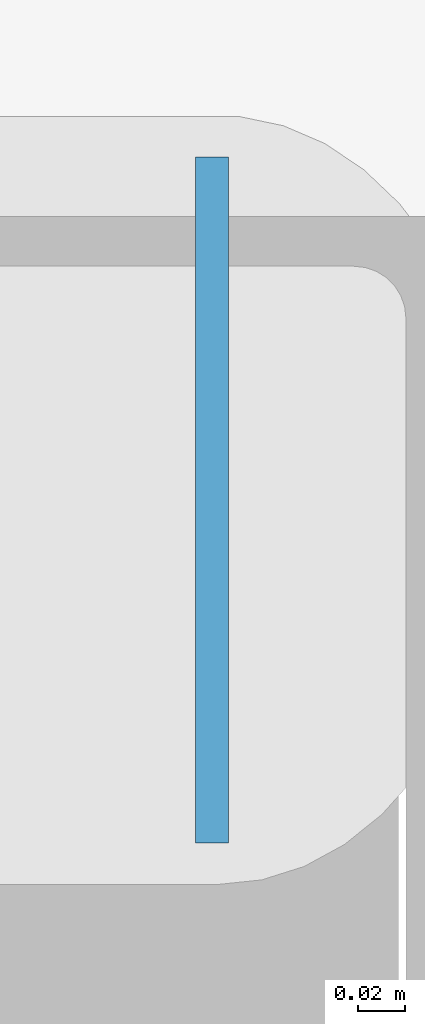
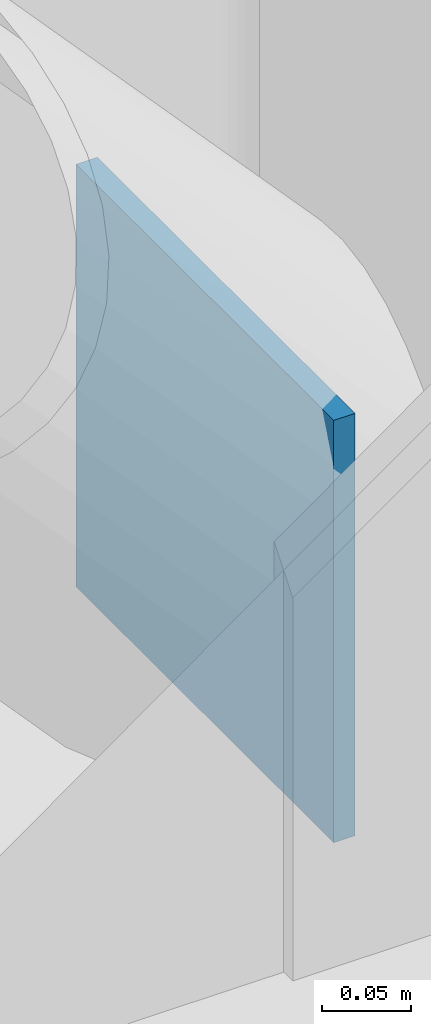
# One storey, part 71 of 95: 1 plate.
"""IFC4 building model written with IfcOpenShell, lengths in metres."""

from ifc_helpers import new_model, si_unit, direction, frame, origin, origin_2d, place, context, subcontext, project, spatial, rectangle, extrude, material, layer, layer_set, type_object, element, save


model = new_model("IFC4")

# Units and contexts
model_context = context("Model", 3, precision=1e-05, world=origin(), true_north=direction((0.0, 1.0)))
body_context = subcontext(model_context, "Body", "Model", "MODEL_VIEW")
ifc_project = project(units=[si_unit("LENGTHUNIT", "METRE"), si_unit("AREAUNIT", "SQUARE_METRE"), si_unit("VOLUMEUNIT", "CUBIC_METRE"), si_unit("PLANEANGLEUNIT", "RADIAN"), si_unit("MASSUNIT", "GRAM", prefix="KILO")], contexts=[model_context])

# Site, building, storey
site_placement = place(None, origin())
site = spatial("IfcSite", under=ifc_project, at=site_placement, CompositionType="ELEMENT")
building_placement = place(site_placement, origin())
building = spatial("IfcBuilding", under=site, at=building_placement, Name="Shengluoqiao Park Theatre", CompositionType="ELEMENT")
storey_placement = place(building_placement, origin())
storey = spatial("IfcBuildingStorey", under=building, at=storey_placement, Name="L00", CompositionType="ELEMENT", Elevation=0.0)

# Plate
ifc_material = material(Name="Steel Q355", Category="steel")
ifc_layer = layer(ifc_material, 0.013916015625, Name="Steel Q355")
ifc_layer_set = layer_set([ifc_layer], Name="Steel Q355")
plate_type = type_object("IfcPlateType", Name="STR-PLT-EC-280", PredefinedType="SHEET", material=ifc_layer_set)
plate_placement = place(storey_placement, frame((130.307373046875, 84.080078125, -0.023681640625), z_axis=(0.0, 0.0, 1.0), x_axis=(-1.0, 0.0, 0.0)))
element("IfcPlate", 1, at=plate_placement, inside=storey, type_object=plate_type, Name="Hollow Tube End Cap Plate 00170", PredefinedType="SHEET", context=body_context, shape_type="SweptSolid", body=[
    extrude(rectangle(XDim=0.013916015625, YDim=0.2900390625, at=origin_2d()), origin(), (0.0, 0.0, 1.0), 0.2900390625),
])

save(model, "model.ifc")
